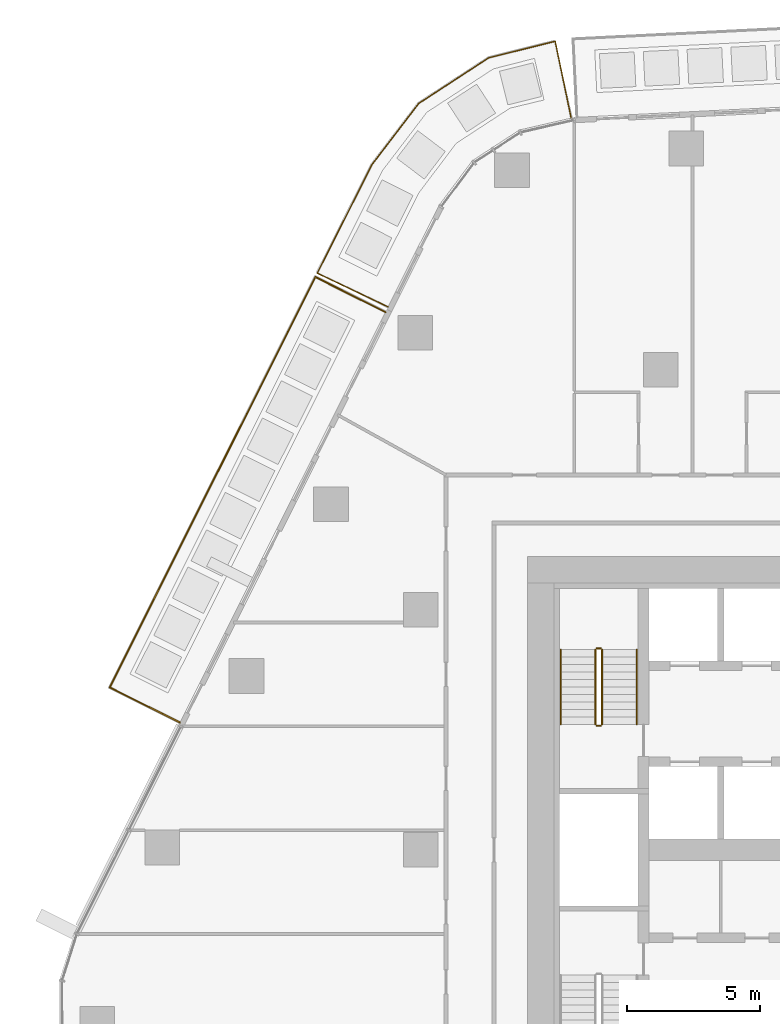
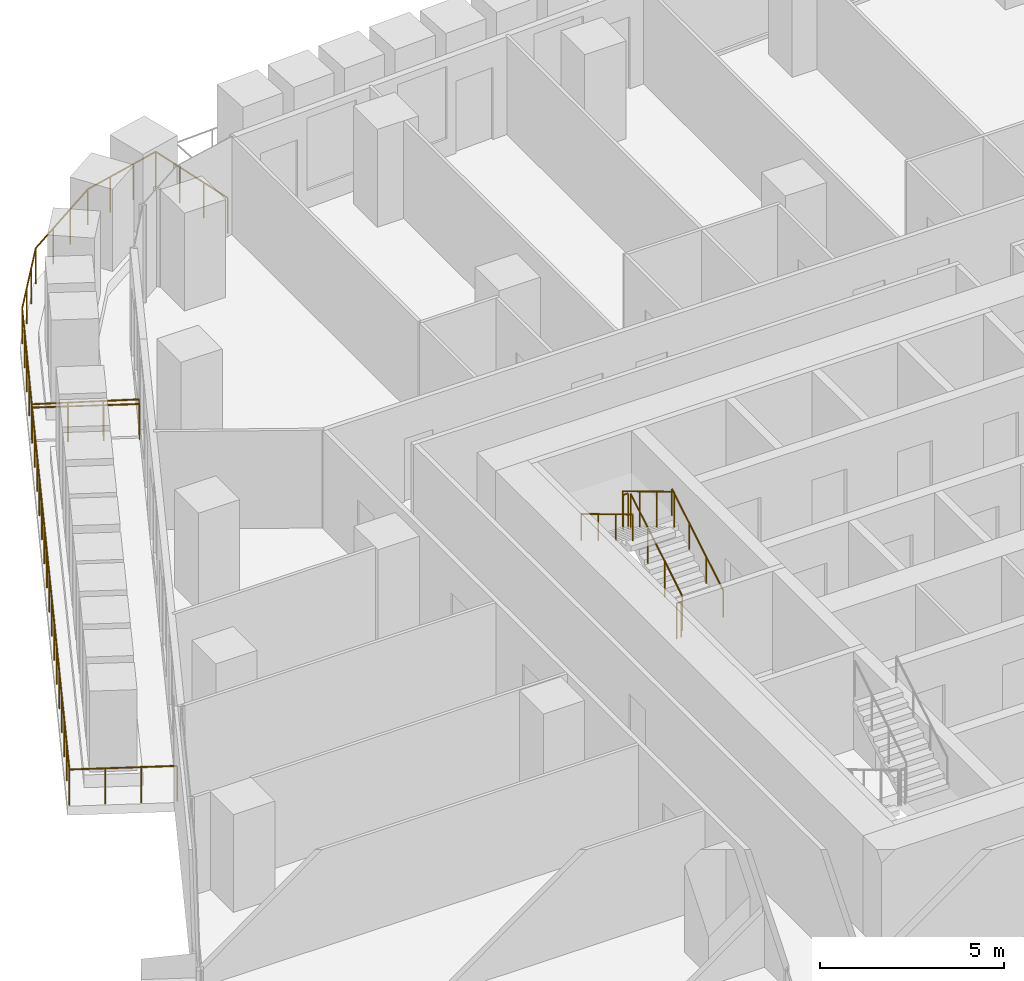
# One storey, part 22 of 24: 8 railings.
"""IFC4 building model written with IfcOpenShell, lengths in metres."""

from ifc_helpers import new_model, si_unit, direction, frame, origin, origin_2d, place, context, subcontext, project, spatial, circle, extrude, material, type_object, element, save


model = new_model("IFC4")

# Units and contexts
model_context = context("Model", 3, precision=1e-05, world=origin(), true_north=direction((0.0, 1.0)))
body_context = subcontext(model_context, "Body", "Model", "MODEL_VIEW")
ifc_project = project(units=[si_unit("LENGTHUNIT", "METRE"), si_unit("AREAUNIT", "SQUARE_METRE"), si_unit("VOLUMEUNIT", "CUBIC_METRE"), si_unit("PLANEANGLEUNIT", "RADIAN"), si_unit("MASSUNIT", "GRAM", prefix="KILO")], contexts=[model_context])

# Site, building, storey
site_placement = place(None, origin())
site = spatial("IfcSite", under=ifc_project, at=site_placement, CompositionType="ELEMENT")
building_placement = place(site_placement, origin())
building = spatial("IfcBuilding", under=site, at=building_placement, Name="Dongbaek Canopy Tower", CompositionType="ELEMENT")
storey_placement = place(building_placement, frame((0.0, 0.0, 98.89990234375)))
storey = spatial("IfcBuildingStorey", under=building, at=storey_placement, Name="L20", CompositionType="ELEMENT", Elevation=98.89990234375)

# Railings
ifc_material_1 = material(Name="Stainless steel", Category="steel")
railing_type_1 = type_object("IfcRailingType", Name="Balcony balustrade 1200", PredefinedType="BALUSTRADE", material=ifc_material_1)
railing_1_placement = place(storey_placement, frame((-19.31982421875, 20.155029296875, 0.0)))
element("IfcRailing", 1, at=railing_1_placement, inside=storey, type_object=railing_type_1, Name="Balcony guard L20 3", PredefinedType="BALUSTRADE", context=body_context, shape_type="SweptSolid", body=[
    extrude(circle(Radius=0.02392578125, at=origin_2d()), frame((0.0, 0.0, 1.17578125), z_axis=(-0.894061494849, 0.447944241428, 0.0), x_axis=(-0.447944241428, -0.894061494849, 0.0)), (0.0, 0.0, 1.0), 2.93994140625),
    extrude(circle(Radius=0.02392578125, at=origin_2d()), frame((-2.62841796875, 1.31689453125, 1.17578125), z_axis=(-0.447956937984, -0.894055133486, 0.0), x_axis=(0.894055133486, -0.447956937984, 0.0)), (0.0, 0.0, 1.0), 17.20654296875),
    extrude(circle(Radius=0.02392578125, at=origin_2d()), frame((-10.336181640625, -14.066650390625, 1.17578125), z_axis=(0.894061494849, -0.447944241428, 0.0), x_axis=(0.447944241428, 0.894061494849, 0.0)), (0.0, 0.0, 1.0), 2.93994140625),
    extrude(circle(Radius=0.02099609375, at=origin_2d()), origin(), (0.0, 0.0, 1.0), 1.15185546875),
    extrude(circle(Radius=0.02099609375, at=origin_2d()), frame((-0.876220703125, 0.43896484375, 0.0)), (0.0, 0.0, 1.0), 1.15185546875),
    extrude(circle(Radius=0.02099609375, at=origin_2d()), frame((-1.752197265625, 0.8779296875, 0.0)), (0.0, 0.0, 1.0), 1.15185546875),
    extrude(circle(Radius=0.02099609375, at=origin_2d()), frame((-2.62841796875, 1.31689453125, 0.0)), (0.0, 0.0, 1.0), 1.15185546875),
    extrude(circle(Radius=0.02099609375, at=origin_2d()), frame((-3.142333984375, 0.291259765625, 0.0)), (0.0, 0.0, 1.0), 1.15185546875),
    extrude(circle(Radius=0.02099609375, at=origin_2d()), frame((-3.656005859375, -0.734130859375, 0.0)), (0.0, 0.0, 1.0), 1.15185546875),
    extrude(circle(Radius=0.02099609375, at=origin_2d()), frame((-4.169921875, -1.759765625, 0.0)), (0.0, 0.0, 1.0), 1.15185546875),
    extrude(circle(Radius=0.02099609375, at=origin_2d()), frame((-4.683837890625, -2.785400390625, 0.0)), (0.0, 0.0, 1.0), 1.15185546875),
    extrude(circle(Radius=0.02099609375, at=origin_2d()), frame((-5.19775390625, -3.81103515625, 0.0)), (0.0, 0.0, 1.0), 1.15185546875),
    extrude(circle(Radius=0.02099609375, at=origin_2d()), frame((-5.71142578125, -4.83642578125, 0.0)), (0.0, 0.0, 1.0), 1.15185546875),
    extrude(circle(Radius=0.02099609375, at=origin_2d()), frame((-6.225341796875, -5.862060546875, 0.0)), (0.0, 0.0, 1.0), 1.15185546875),
    extrude(circle(Radius=0.02099609375, at=origin_2d()), frame((-6.7392578125, -6.8876953125, 0.0)), (0.0, 0.0, 1.0), 1.15185546875),
    extrude(circle(Radius=0.02099609375, at=origin_2d()), frame((-7.253173828125, -7.913330078125, 0.0)), (0.0, 0.0, 1.0), 1.15185546875),
    extrude(circle(Radius=0.02099609375, at=origin_2d()), frame((-7.766845703125, -8.938720703125, 0.0)), (0.0, 0.0, 1.0), 1.15185546875),
    extrude(circle(Radius=0.02099609375, at=origin_2d()), frame((-8.28076171875, -9.96435546875, 0.0)), (0.0, 0.0, 1.0), 1.15185546875),
    extrude(circle(Radius=0.02099609375, at=origin_2d()), frame((-8.794677734375, -10.989990234375, 0.0)), (0.0, 0.0, 1.0), 1.15185546875),
    extrude(circle(Radius=0.02099609375, at=origin_2d()), frame((-9.30859375, -12.015625, 0.0)), (0.0, 0.0, 1.0), 1.15185546875),
    extrude(circle(Radius=0.02099609375, at=origin_2d()), frame((-9.822265625, -13.041015625, 0.0)), (0.0, 0.0, 1.0), 1.15185546875),
    extrude(circle(Radius=0.02099609375, at=origin_2d()), frame((-10.336181640625, -14.066650390625, 0.0)), (0.0, 0.0, 1.0), 1.15185546875),
    extrude(circle(Radius=0.02099609375, at=origin_2d()), frame((-9.4599609375, -14.505615234375, 0.0)), (0.0, 0.0, 1.0), 1.15185546875),
    extrude(circle(Radius=0.02099609375, at=origin_2d()), frame((-8.583984375, -14.944580078125, 0.0)), (0.0, 0.0, 1.0), 1.15185546875),
    extrude(circle(Radius=0.02099609375, at=origin_2d()), frame((-7.707763671875, -15.383544921875, 0.0)), (0.0, 0.0, 1.0), 1.15185546875),
])
railing_2_placement = place(storey_placement, frame((-12.359130859375, 27.4287109375, 0.0)))
element("IfcRailing", 2, at=railing_2_placement, inside=storey, type_object=railing_type_1, Name="Balcony guard L20 7", PredefinedType="BALUSTRADE", context=body_context, shape_type="SweptSolid", body=[
    extrude(circle(Radius=0.02392578125, at=origin_2d()), frame((0.0, 0.0, 1.17578125), z_axis=(-0.203821636355, 0.979008039065, 0.0), x_axis=(-0.979008039065, -0.203821636355, 0.0)), (0.0, 0.0, 1.0), 2.940673828125),
    extrude(circle(Radius=0.02392578125, at=origin_2d()), frame((-0.599365234375, 2.87890625, 1.17578125), z_axis=(-0.970527127867, -0.240991896282, 0.0), x_axis=(0.240991896282, -0.970527127867, 0.0)), (0.0, 0.0, 1.0), 2.568115234375),
    extrude(circle(Radius=0.02392578125, at=origin_2d()), frame((-3.091796875, 2.260009765625, 1.17578125), z_axis=(-0.837559434191, -0.546346221912, 0.0), x_axis=(0.546346221912, -0.837559434191, 0.0)), (0.0, 0.0, 1.0), 3.133056640625),
    extrude(circle(Radius=0.02392578125, at=origin_2d()), frame((-5.7158203125, 0.54833984375, 1.17578125), z_axis=(-0.607172847411, -0.79456977879, 0.0), x_axis=(0.79456977879, -0.607172847411, 0.0)), (0.0, 0.0, 1.0), 2.87646484375),
    extrude(circle(Radius=0.02392578125, at=origin_2d()), frame((-7.46240234375, -1.7373046875, 1.17578125), z_axis=(-0.450184545621, -0.892935537922, 0.0), x_axis=(0.892935537922, -0.450184545621, 0.0)), (0.0, 0.0, 1.0), 4.565185546875),
    extrude(circle(Radius=0.02392578125, at=origin_2d()), frame((-9.517578125, -5.813720703125, 1.17578125), z_axis=(0.90303845694, -0.429559710969, 0.0), x_axis=(0.429559710969, 0.90303845694, 0.0)), (0.0, 0.0, 1.0), 2.940673828125),
    extrude(circle(Radius=0.02099609375, at=origin_2d()), origin(), (0.0, 0.0, 1.0), 1.15185546875),
    extrude(circle(Radius=0.02099609375, at=origin_2d()), frame((-0.19970703125, 0.959716796875, 0.0)), (0.0, 0.0, 1.0), 1.15185546875),
    extrude(circle(Radius=0.02099609375, at=origin_2d()), frame((-0.399658203125, 1.919189453125, 0.0)), (0.0, 0.0, 1.0), 1.15185546875),
    extrude(circle(Radius=0.02099609375, at=origin_2d()), frame((-0.599365234375, 2.87890625, 0.0)), (0.0, 0.0, 1.0), 1.15185546875),
    extrude(circle(Radius=0.02099609375, at=origin_2d()), frame((-1.43017578125, 2.672607421875, 0.0)), (0.0, 0.0, 1.0), 1.15185546875),
    extrude(circle(Radius=0.02099609375, at=origin_2d()), frame((-2.260986328125, 2.46630859375, 0.0)), (0.0, 0.0, 1.0), 1.15185546875),
    extrude(circle(Radius=0.02099609375, at=origin_2d()), frame((-3.091796875, 2.260009765625, 0.0)), (0.0, 0.0, 1.0), 1.15185546875),
    extrude(circle(Radius=0.02099609375, at=origin_2d()), frame((-3.966552734375, 1.689453125, 0.0)), (0.0, 0.0, 1.0), 1.15185546875),
    extrude(circle(Radius=0.02099609375, at=origin_2d()), frame((-4.841064453125, 1.118896484375, 0.0)), (0.0, 0.0, 1.0), 1.15185546875),
    extrude(circle(Radius=0.02099609375, at=origin_2d()), frame((-5.7158203125, 0.54833984375, 0.0)), (0.0, 0.0, 1.0), 1.15185546875),
    extrude(circle(Radius=0.02099609375, at=origin_2d()), frame((-6.298095703125, -0.213623046875, 0.0)), (0.0, 0.0, 1.0), 1.15185546875),
    extrude(circle(Radius=0.02099609375, at=origin_2d()), frame((-6.880126953125, -0.975341796875, 0.0)), (0.0, 0.0, 1.0), 1.15185546875),
    extrude(circle(Radius=0.02099609375, at=origin_2d()), frame((-7.46240234375, -1.7373046875, 0.0)), (0.0, 0.0, 1.0), 1.15185546875),
    extrude(circle(Radius=0.02099609375, at=origin_2d()), frame((-7.97607421875, -2.75634765625, 0.0)), (0.0, 0.0, 1.0), 1.15185546875),
    extrude(circle(Radius=0.02099609375, at=origin_2d()), frame((-8.489990234375, -3.775390625, 0.0)), (0.0, 0.0, 1.0), 1.15185546875),
    extrude(circle(Radius=0.02099609375, at=origin_2d()), frame((-9.00390625, -4.794677734375, 0.0)), (0.0, 0.0, 1.0), 1.15185546875),
    extrude(circle(Radius=0.02099609375, at=origin_2d()), frame((-9.517578125, -5.813720703125, 0.0)), (0.0, 0.0, 1.0), 1.15185546875),
    extrude(circle(Radius=0.02099609375, at=origin_2d()), frame((-8.63232421875, -6.23486328125, 0.0)), (0.0, 0.0, 1.0), 1.15185546875),
    extrude(circle(Radius=0.02099609375, at=origin_2d()), frame((-7.747314453125, -6.65576171875, 0.0)), (0.0, 0.0, 1.0), 1.15185546875),
    extrude(circle(Radius=0.02099609375, at=origin_2d()), frame((-6.862060546875, -7.076904296875, 0.0)), (0.0, 0.0, 1.0), 1.15185546875),
])
ifc_material_2 = material(Name="Stainless steel tube and balusters", Category="steel")
railing_type_2 = type_object("IfcRailingType", Name="Stair guard 1200", PredefinedType="GUARDRAIL", material=ifc_material_2)
railing_3_placement = place(storey_placement, frame((-11.199951171875, 4.699951171875, 0.168212890625)))
element("IfcRailing", 3, at=railing_3_placement, inside=storey, type_object=railing_type_2, Name="L20 ST-C stair guard 1", PredefinedType="GUARDRAIL", context=body_context, shape_type="SweptSolid", body=[
    extrude(circle(Radius=0.02392578125, at=origin_2d()), frame((0.0, 0.0, 1.17578125), z_axis=(0.0, 0.857242210791, 0.514913383045), x_axis=(-1.0, 0.0, 0.0)), (0.0, 0.0, 1.0), 3.266357421875),
    extrude(circle(Radius=0.02099609375, at=origin_2d()), origin(), (0.0, 0.0, 1.0), 1.15185546875),
    extrude(circle(Radius=0.02099609375, at=origin_2d()), frame((0.0, 0.933349609375, 0.560546875)), (0.0, 0.0, 1.0), 1.15185546875),
    extrude(circle(Radius=0.02099609375, at=origin_2d()), frame((0.0, 1.86669921875, 1.121337890625)), (0.0, 0.0, 1.0), 1.15185546875),
    extrude(circle(Radius=0.02099609375, at=origin_2d()), frame((0.0, 2.800048828125, 1.681884765625)), (0.0, 0.0, 1.0), 1.15185546875),
])
railing_4_placement = place(storey_placement, frame((-11.25, 7.550048828125, 1.85009765625)))
element("IfcRailing", 4, at=railing_4_placement, inside=storey, type_object=railing_type_2, Name="L20 ST-C stair guard 2", PredefinedType="GUARDRAIL", context=body_context, shape_type="SweptSolid", body=[
    extrude(circle(Radius=0.02392578125, at=origin_2d()), frame((0.0, 0.0, 1.17578125), z_axis=(-1.0, 0.0, 0.0), x_axis=(0.0, -1.0, 0.0)), (0.0, 0.0, 1.0), 0.14990234375),
    extrude(circle(Radius=0.02099609375, at=origin_2d()), origin(), (0.0, 0.0, 1.0), 1.15185546875),
    extrude(circle(Radius=0.02099609375, at=origin_2d()), frame((-0.14990234375, 0.0, 0.0)), (0.0, 0.0, 1.0), 1.15185546875),
])
railing_5_placement = place(storey_placement, frame((-11.449951171875, 7.5, 2.018310546875)))
element("IfcRailing", 5, at=railing_5_placement, inside=storey, type_object=railing_type_2, Name="L20 ST-C stair guard 3", PredefinedType="GUARDRAIL", context=body_context, shape_type="SweptSolid", body=[
    extrude(circle(Radius=0.02392578125, at=origin_2d()), frame((0.0, 0.0, 1.17578125), z_axis=(0.0, -0.857242210791, 0.514913383045), x_axis=(1.0, 0.0, 0.0)), (0.0, 0.0, 1.0), 3.266357421875),
    extrude(circle(Radius=0.02099609375, at=origin_2d()), origin(), (0.0, 0.0, 1.0), 1.15185546875),
    extrude(circle(Radius=0.02099609375, at=origin_2d()), frame((0.0, -0.933349609375, 0.560546875)), (0.0, 0.0, 1.0), 1.15185546875),
    extrude(circle(Radius=0.02099609375, at=origin_2d()), frame((0.0, -1.86669921875, 1.121337890625)), (0.0, 0.0, 1.0), 1.15185546875),
    extrude(circle(Radius=0.02099609375, at=origin_2d()), frame((0.0, -2.800048828125, 1.681884765625)), (0.0, 0.0, 1.0), 1.15185546875),
])
railing_6_placement = place(storey_placement, frame((-11.25, 4.64990234375, 0.0)))
element("IfcRailing", 6, at=railing_6_placement, inside=storey, type_object=railing_type_2, Name="L20 ST-C stair guard 4", PredefinedType="GUARDRAIL", context=body_context, shape_type="SweptSolid", body=[
    extrude(circle(Radius=0.02392578125, at=origin_2d()), frame((0.0, 0.0, 1.17578125), z_axis=(-1.0, 0.0, 0.0), x_axis=(0.0, -1.0, 0.0)), (0.0, 0.0, 1.0), 0.14990234375),
    extrude(circle(Radius=0.02099609375, at=origin_2d()), origin(), (0.0, 0.0, 1.0), 1.15185546875),
    extrude(circle(Radius=0.02099609375, at=origin_2d()), frame((-0.14990234375, 0.0, 0.0)), (0.0, 0.0, 1.0), 1.15185546875),
])
ifc_material_3 = material(Name="Stainless steel tube", Category="steel")
railing_type_3 = type_object("IfcRailingType", Name="Stair handrail 900", PredefinedType="HANDRAIL", material=ifc_material_3)
railing_7_placement = place(storey_placement, frame((-9.89990234375, 4.699951171875, 0.168212890625)))
element("IfcRailing", 7, at=railing_7_placement, inside=storey, type_object=railing_type_3, Name="L20 ST-C stair handrail 1", PredefinedType="HANDRAIL", context=body_context, shape_type="SweptSolid", body=[
    extrude(circle(Radius=0.02392578125, at=origin_2d()), frame((0.0, 0.0, 0.8759765625), z_axis=(0.0, 0.857242210791, 0.514913383045), x_axis=(-1.0, 0.0, 0.0)), (0.0, 0.0, 1.0), 3.266357421875),
    extrude(circle(Radius=0.02099609375, at=origin_2d()), origin(), (0.0, 0.0, 1.0), 0.851806640625),
    extrude(circle(Radius=0.02099609375, at=origin_2d()), frame((0.0, 0.933349609375, 0.560546875)), (0.0, 0.0, 1.0), 0.851806640625),
    extrude(circle(Radius=0.02099609375, at=origin_2d()), frame((0.0, 1.86669921875, 1.121337890625)), (0.0, 0.0, 1.0), 0.851806640625),
    extrude(circle(Radius=0.02099609375, at=origin_2d()), frame((0.0, 2.800048828125, 1.681884765625)), (0.0, 0.0, 1.0), 0.851806640625),
])
railing_8_placement = place(storey_placement, frame((-12.75, 7.5, 2.018310546875)))
element("IfcRailing", 8, at=railing_8_placement, inside=storey, type_object=railing_type_3, Name="L20 ST-C stair handrail 2", PredefinedType="HANDRAIL", context=body_context, shape_type="SweptSolid", body=[
    extrude(circle(Radius=0.02392578125, at=origin_2d()), frame((0.0, 0.0, 0.8759765625), z_axis=(0.0, -0.857242210791, 0.514913383045), x_axis=(1.0, 0.0, 0.0)), (0.0, 0.0, 1.0), 3.266357421875),
    extrude(circle(Radius=0.02099609375, at=origin_2d()), origin(), (0.0, 0.0, 1.0), 0.851806640625),
    extrude(circle(Radius=0.02099609375, at=origin_2d()), frame((0.0, -0.933349609375, 0.560546875)), (0.0, 0.0, 1.0), 0.851806640625),
    extrude(circle(Radius=0.02099609375, at=origin_2d()), frame((0.0, -1.86669921875, 1.121337890625)), (0.0, 0.0, 1.0), 0.851806640625),
    extrude(circle(Radius=0.02099609375, at=origin_2d()), frame((0.0, -2.800048828125, 1.681884765625)), (0.0, 0.0, 1.0), 0.851806640625),
])

save(model, "model.ifc")
